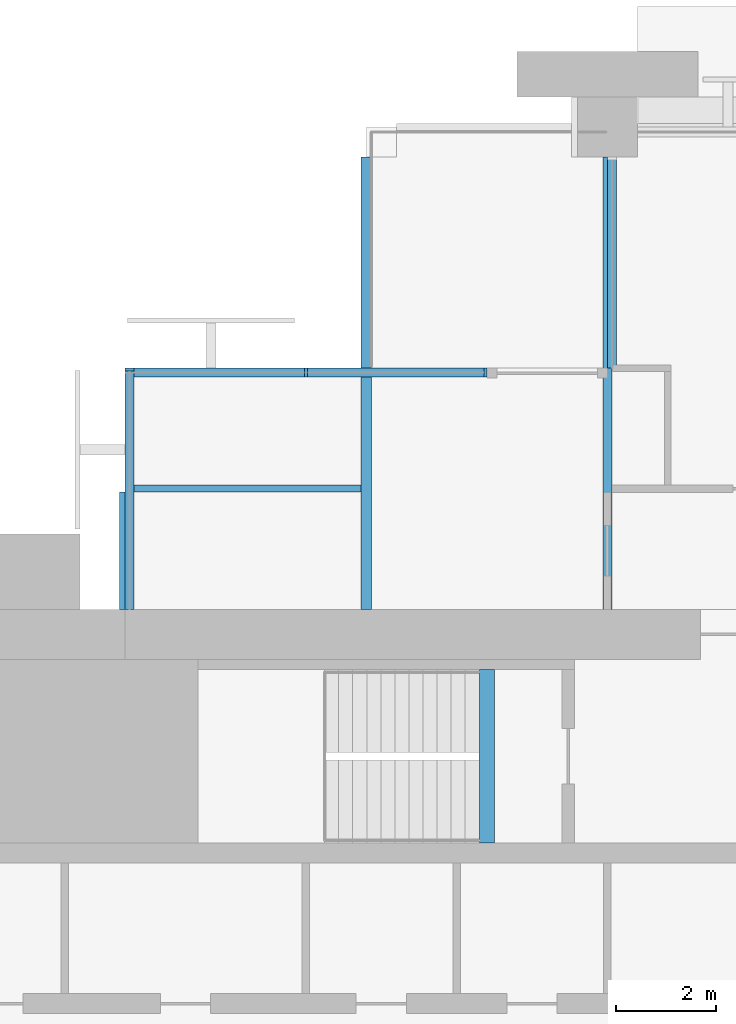
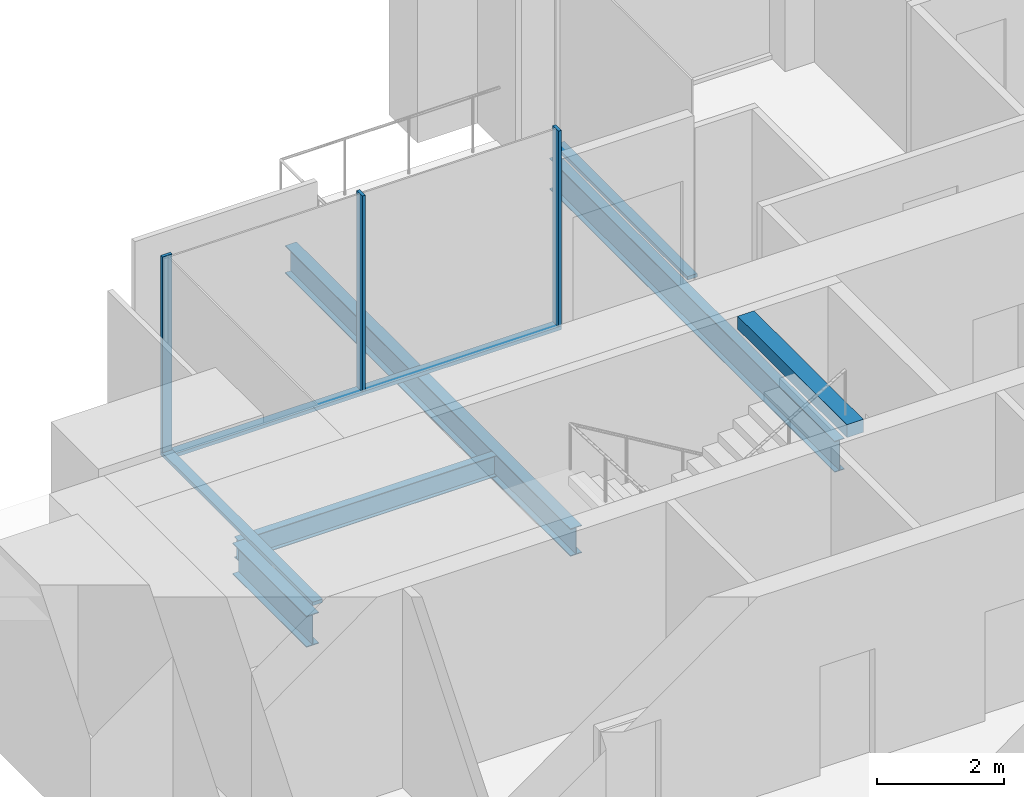
# One storey, part 5 of 15: 6 members, 5 beams, 3 elements without a shape of their own.
"""IFC4 building model written with IfcOpenShell, lengths in metres."""

import ifcopenshell
import ifcopenshell.guid

model = None  # the IFC model being written
_history = None  # IfcOwnerHistory: only IFC2X3 demands one
_inside = {}  # id of a spatial element -> (the spatial element, [elements in it])
_under = {}  # id of a project, library or spatial element -> (it, [spatial elements below it])
_declared = {}  # id of a project -> (the project, [libraries it declares])
_typed = {}  # id of a type object -> (the type object, [elements of that type])
_made_of = {}  # id of a material, layer set ... -> (it, [elements and type objects made of it])


def new_model(schema):
    """Start an empty IFC model of exactly this schema.

    Asked for "IFC4X3", IfcOpenShell would pick the latest addendum, in which some entities
    have other attributes; the version numbers below select the first issue.
    IFC2X3 requires an IfcOwnerHistory on every rooted entity: one is made here for all.
    """
    global model, _history
    if schema == "IFC4X3":
        model = ifcopenshell.file(schema_version=(4, 3, 0, 0))
    else:
        model = ifcopenshell.file(schema=schema)
    _inside.clear()
    _under.clear()
    _declared.clear()
    _typed.clear()
    _made_of.clear()
    _history = None
    if model.schema == "IFC2X3":
        org = make("IfcOrganization", Name="unknown")
        user = make(
            "IfcPersonAndOrganization",
            ThePerson=make("IfcPerson", FamilyName="unknown"),
            TheOrganization=org,
        )
        app = make(
            "IfcApplication",
            ApplicationDeveloper=org,
            Version="unknown",
            ApplicationFullName="unknown",
            ApplicationIdentifier="unknown",
        )
        _history = make(
            "IfcOwnerHistory",
            OwningUser=user,
            OwningApplication=app,
            ChangeAction="ADDED",
            CreationDate=0,
        )
    return model


def make(cls, **values):
    """One entity of the class cls with the attributes given. An attribute that is None is left unset."""
    return model.create_entity(
        cls, **{name: value for name, value in values.items() if value is not None}
    )


def rooted(cls, **values):
    """An entity with a GlobalId (a new one), such as an element, a storey or a relation."""
    return make(cls, GlobalId=ifcopenshell.guid.new(), OwnerHistory=_history, **values)


def si_unit(unit_type, name, prefix=None):
    """IfcSIUnit, for example si_unit("LENGTHUNIT", "METRE", prefix="MILLI")."""
    return make("IfcSIUnit", UnitType=unit_type, Prefix=prefix, Name=name)


def assignment(units):
    """IfcUnitAssignment: the units of a project."""
    return None if units is None else make("IfcUnitAssignment", Units=units)


def point(xyz):
    """IfcCartesianPoint."""
    return None if xyz is None else make("IfcCartesianPoint", Coordinates=xyz)


def direction(xyz):
    """IfcDirection."""
    return None if xyz is None else make("IfcDirection", DirectionRatios=xyz)


def frame(location, z_axis=None, x_axis=None):
    """IfcAxis2Placement3D, a coordinate frame: its origin and axes. An axis left out is left unset."""
    return make(
        "IfcAxis2Placement3D",
        Location=point(location),
        Axis=direction(z_axis),
        RefDirection=direction(x_axis),
    )


def frame_2d(location, x_axis=None):
    """IfcAxis2Placement2D, a coordinate frame in the plane: its origin and x axis."""
    return make(
        "IfcAxis2Placement2D", Location=point(location), RefDirection=direction(x_axis)
    )


def origin():
    """The frame at (0, 0, 0) with its axes left unset."""
    return frame((0.0, 0.0, 0.0))


def origin_2d():
    """The frame at (0, 0) in the plane with its x axis left unset."""
    return frame_2d((0.0, 0.0))


def place(relative_to, where):
    """IfcLocalPlacement: puts the frame where relative to a parent placement (None: the world)."""
    return make(
        "IfcLocalPlacement", PlacementRelTo=relative_to, RelativePlacement=where
    )


def context(
    kind, dimensions, precision=None, world=None, true_north=None, identifier=None
):
    """IfcGeometricRepresentationContext, for example the 3D "Model" context."""
    return make(
        "IfcGeometricRepresentationContext",
        ContextIdentifier=identifier,
        ContextType=kind,
        CoordinateSpaceDimension=dimensions,
        Precision=precision,
        WorldCoordinateSystem=world,
        TrueNorth=true_north,
    )


def subcontext(parent, identifier, kind, view, scale=None):
    """IfcGeometricRepresentationSubContext, for example "Body" below "Model"."""
    return make(
        "IfcGeometricRepresentationSubContext",
        ContextIdentifier=identifier,
        ContextType=kind,
        ParentContext=parent,
        TargetScale=scale,
        TargetView=view,
    )


def project(units=None, contexts=None):
    """IfcProject with its units and contexts."""
    return rooted(
        "IfcProject",
        Name="project",
        RepresentationContexts=contexts,
        UnitsInContext=assignment(units),
    )


def spatial(cls, under=None, at=None, **own):
    """A site, building, storey or space (cls), placed at a placement, below another one or the project."""
    s = rooted(cls, ObjectPlacement=at, **own)
    if under is not None:
        _under.setdefault(under.id(), (under, []))[1].append(s)
    return s


def profile(cls, at=None, kind="AREA", **sizes):
    """A parametric profile (cls). Its sizes go by their IFC names, for example OverallWidth=200.0."""
    return make(cls, ProfileType=kind, Position=at, **sizes)


def rectangle(**sizes):
    """IfcRectangleProfileDef."""
    return profile("IfcRectangleProfileDef", **sizes)


def i_section(**sizes):
    """IfcIShapeProfileDef."""
    return profile("IfcIShapeProfileDef", **sizes)


def extrude(swept, where, along, depth):
    """IfcExtrudedAreaSolid: the profile swept, set in the frame where, extruded along a direction by depth."""
    return make(
        "IfcExtrudedAreaSolid",
        SweptArea=swept,
        Position=where,
        ExtrudedDirection=direction(along),
        Depth=depth,
    )


def shape(context_of_items, identifier, shape_type, items):
    """IfcShapeRepresentation: the items that make up one representation, for example the "Body"."""
    return make(
        "IfcShapeRepresentation",
        ContextOfItems=context_of_items,
        RepresentationIdentifier=identifier,
        RepresentationType=shape_type,
        Items=items,
    )


def material(Name=None, Category=None):
    """IfcMaterial."""
    return make("IfcMaterial", Name=Name, Category=Category)


def material_profile(
    of_material, cross_section, Name=None, Category=None, Priority=None
):
    """IfcMaterialProfile: a cross section and its material."""
    return make(
        "IfcMaterialProfile",
        Name=Name,
        Material=of_material,
        Profile=cross_section,
        Priority=Priority,
        Category=Category,
    )


def profile_set(profiles, Name=None, composite=None):
    """IfcMaterialProfileSet."""
    return make(
        "IfcMaterialProfileSet",
        Name=Name,
        MaterialProfiles=profiles,
        CompositeProfile=composite,
    )


def made_of(thing, what):
    """Note that an element or type object is made of a material, layer set ...; save() writes the relation."""
    if what is not None:
        _made_of.setdefault(what.id(), (what, []))[1].append(thing)
    return thing


def type_object(cls, material=None, **own):
    """A type object (cls), such as IfcWallType, which elements share."""
    return made_of(rooted(cls, **own), material)


def element(
    cls,
    number,
    at=None,
    inside=None,
    cuts=None,
    type_object=None,
    material=None,
    context=None,
    identifier="Body",
    shape_type=None,
    held_by="IfcProductDefinitionShape",
    body=None,
    shapes=None,
    **own,
):
    """One element of the class cls, such as IfcWall. Its Tag is "e" and its number.

    at: its placement. inside: the storey or other place that contains it. cuts: it is an
    opening in that element (IfcRelVoidsElement). A single representation is given by context,
    identifier, shape_type and body (its items); several are given by shapes. held_by: the class
    of the entity that holds the representations. save() writes the other relations.
    """
    e = rooted(cls, Tag="e%d" % number, ObjectPlacement=at, **own)
    if body is not None:
        shapes = [shape(context, identifier, shape_type, body)]
    if shapes is not None:
        e.Representation = make(held_by, Representations=shapes)
    if inside is not None:
        _inside.setdefault(inside.id(), (inside, []))[1].append(e)
    if cuts is not None:
        rooted(
            "IfcRelVoidsElement", RelatingBuildingElement=cuts, RelatedOpeningElement=e
        )
    if type_object is not None:
        _typed.setdefault(type_object.id(), (type_object, []))[1].append(e)
    return made_of(e, material)


def aggregate(whole, parts):
    """IfcRelAggregates: a whole, such as a stair, and the parts it consists of."""
    return rooted("IfcRelAggregates", RelatingObject=whole, RelatedObjects=parts)


def save(model, path):
    """Write the relations noted so far, then the file.

    IfcRelAggregates (storeys below a building ...), IfcRelContainedInSpatialStructure (elements
    in a storey), IfcRelDefinesByType, IfcRelAssociatesMaterial and IfcRelDeclares: one each for
    every whole, place, type object, material and project.
    """
    for whole, parts in _under.values():
        aggregate(whole, parts)
    for where, things in _inside.values():
        rooted(
            "IfcRelContainedInSpatialStructure",
            RelatedElements=things,
            RelatingStructure=where,
        )
    for kind, things in _typed.values():
        rooted("IfcRelDefinesByType", RelatedObjects=things, RelatingType=kind)
    for what, things in _made_of.values():
        rooted("IfcRelAssociatesMaterial", RelatedObjects=things, RelatingMaterial=what)
    for by, libraries in _declared.values():
        rooted("IfcRelDeclares", RelatingContext=by, RelatedDefinitions=libraries)
    model.write(path)


model = new_model("IFC4")

# Units and contexts
model_context = context("Model", 3, precision=1e-05, world=origin(), true_north=direction((0.0, 1.0)))
body_context = subcontext(model_context, "Body", "Model", "MODEL_VIEW")
ifc_project = project(units=[si_unit("LENGTHUNIT", "METRE"), si_unit("AREAUNIT", "SQUARE_METRE"), si_unit("VOLUMEUNIT", "CUBIC_METRE"), si_unit("PLANEANGLEUNIT", "RADIAN"), si_unit("MASSUNIT", "GRAM", prefix="KILO")], contexts=[model_context])

# Site, building, storey
site_placement = place(None, origin())
site = spatial("IfcSite", under=ifc_project, at=site_placement, CompositionType="ELEMENT")
building_placement = place(site_placement, origin())
building = spatial("IfcBuilding", under=site, at=building_placement, Name="Baori Bourse Tower", CompositionType="ELEMENT")
storey_placement = place(building_placement, frame((0.0, 0.0, 116.10009765625)))
storey = spatial("IfcBuildingStorey", under=building, at=storey_placement, Name="L24", CompositionType="ELEMENT", Elevation=116.10009765625)

# Curtain wall, members
ifc_material_1 = material(Name="Pale anodised aluminium", Category="aluminium")
curtain_wall_type = type_object("IfcCurtainWallType", Name="CW2 Curtain wall", PredefinedType="NOTDEFINED", material=ifc_material_1)
curtain_wall_1_placement = place(storey_placement, origin())
curtain_wall_1 = element("IfcCurtainWall", 1, at=curtain_wall_1_placement, inside=storey, type_object=curtain_wall_type, Name="Curtain wall CW2 L24 8", PredefinedType="NOTDEFINED")
ifc_material_2 = material(Name="Pale anodised aluminium", Category="aluminium")
ifc_material_profile_1 = material_profile(ifc_material_2, rectangle(XDim=0.179931640625, YDim=0.054931640625, at=origin_2d()), Name="Mullion 55x180")
ifc_profile_set_1 = profile_set([ifc_material_profile_1], Name="Pale anodised aluminium")
member_type_1 = type_object("IfcMemberType", Name="CW2 Curtain wall mullion", PredefinedType="MULLION", material=ifc_profile_set_1)
member_1_placement = place(storey_placement, frame((11.972412109375, 43.110107421875, 0.06982421875), z_axis=(0.0, 0.0, 1.0), x_axis=(0.0, -1.0, 0.0)))
member_1 = element("IfcMember", 2, at=member_1_placement, type_object=member_type_1, Name="Curtain wall CW2 mullion", PredefinedType="MULLION", context=body_context, shape_type="SweptSolid", body=[
    extrude(rectangle(XDim=0.179931640625, YDim=0.054931640625, at=origin_2d()), origin(), (0.0, 0.0, 1.0), 3.77001953125),
])
member_2_placement = place(storey_placement, frame((8.39990234375, 43.110107421875, 0.06982421875), z_axis=(0.0, 0.0, 1.0), x_axis=(0.0, -1.0, 0.0)))
member_2 = element("IfcMember", 3, at=member_2_placement, type_object=member_type_1, Name="Curtain wall CW2 mullion", PredefinedType="MULLION", context=body_context, shape_type="SweptSolid", body=[
    extrude(rectangle(XDim=0.179931640625, YDim=0.054931640625, at=origin_2d()), origin(), (0.0, 0.0, 1.0), 3.77001953125),
])

# Curtain wall, member
curtain_wall_2_placement = place(storey_placement, origin())
curtain_wall_2 = element("IfcCurtainWall", 4, at=curtain_wall_2_placement, inside=storey, type_object=curtain_wall_type, Name="Curtain wall CW2 L24 9", PredefinedType="NOTDEFINED")
member_3_placement = place(storey_placement, frame((4.889892578125, 43.172607421875, 0.06982421875), z_axis=(0.0, 0.0, 1.0), x_axis=(1.0, 0.0, 0.0)))
member_3 = element("IfcMember", 5, at=member_3_placement, type_object=member_type_1, Name="Curtain wall CW2 mullion", PredefinedType="MULLION", context=body_context, shape_type="SweptSolid", body=[
    extrude(rectangle(XDim=0.179931640625, YDim=0.054931640625, at=origin_2d()), origin(), (0.0, 0.0, 1.0), 3.77001953125),
])

curtain_wall_3_placement = place(storey_placement, origin())
curtain_wall_3 = element("IfcCurtainWall", 6, at=curtain_wall_3_placement, inside=storey, type_object=curtain_wall_type, Name="Curtain wall CW2 L24 7", PredefinedType="NOTDEFINED")
ifc_material_3 = material(Name="Pale anodised aluminium", Category="aluminium")
ifc_material_profile_2 = material_profile(ifc_material_3, rectangle(XDim=0.179931640625, YDim=0.070068359375, at=origin_2d()), Name="Transom 70x180")
ifc_profile_set_2 = profile_set([ifc_material_profile_2], Name="Pale anodised aluminium")
member_type_2 = type_object("IfcMemberType", Name="CW2 Curtain wall transom", PredefinedType="USERDEFINED", material=ifc_profile_set_2)
member_4_placement = place(storey_placement, frame((14.489990234375, 47.39990234375, 0.034912109375), z_axis=(0.0, -1.0, 0.0), x_axis=(1.0, 0.0, 0.0)))
member_4 = element("IfcMember", 7, at=member_4_placement, type_object=member_type_2, Name="Curtain wall CW2 sill rail", ObjectType="TRANSOM", PredefinedType="USERDEFINED", context=body_context, shape_type="SweptSolid", body=[
    extrude(rectangle(XDim=0.179931640625, YDim=0.070068359375, at=origin_2d()), origin(), (0.0, 0.0, 1.0), 4.199951171875),
])
aggregate(curtain_wall_3, [member_4])

# Member
member_5_placement = place(storey_placement, frame((12.0, 43.110107421875, 0.034912109375), z_axis=(-1.0, 0.0, 0.0), x_axis=(0.0, -1.0, 0.0)))
member_5 = element("IfcMember", 8, at=member_5_placement, type_object=member_type_2, Name="Curtain wall CW2 sill rail", ObjectType="TRANSOM", PredefinedType="USERDEFINED", context=body_context, shape_type="SweptSolid", body=[
    extrude(rectangle(XDim=0.179931640625, YDim=0.070068359375, at=origin_2d()), origin(), (0.0, 0.0, 1.0), 7.199951171875),
])

aggregate(curtain_wall_1, [member_5, member_1, member_2])

member_6_placement = place(storey_placement, frame((4.889892578125, 43.199951171875, 0.034912109375), z_axis=(0.0, -1.0, 0.0), x_axis=(1.0, 0.0, 0.0)))
member_6 = element("IfcMember", 9, at=member_6_placement, type_object=member_type_2, Name="Curtain wall CW2 sill rail", ObjectType="TRANSOM", PredefinedType="USERDEFINED", context=body_context, shape_type="SweptSolid", body=[
    extrude(rectangle(XDim=0.179931640625, YDim=0.070068359375, at=origin_2d()), origin(), (0.0, 0.0, 1.0), 4.800048828125),
])

aggregate(curtain_wall_2, [member_6, member_3])

# Beams
ifc_material_4 = material(Name="Steel A992 Gr 50", Category="steel")
ifc_material_profile_3 = material_profile(ifc_material_4, i_section(OverallWidth=0.227783203125, OverallDepth=0.60205078125, WebThickness=0.010498046875, FlangeThickness=0.014892578125, at=origin_2d()), Name="W24x68")
ifc_profile_set_3 = profile_set([ifc_material_profile_3], Name="Steel A992 Gr 50")
beam_type_1 = type_object("IfcBeamType", Name="Core bracket W24x68", PredefinedType="BEAM", material=ifc_profile_set_3)
beam_1_placement = place(storey_placement, frame((4.800048828125, 38.39990234375, -0.461181640625), z_axis=(0.0, 1.0, 0.0), x_axis=(-1.0, 0.0, 0.0)))
element("IfcBeam", 10, at=beam_1_placement, inside=storey, type_object=beam_type_1, Name="Core bracket L24", PredefinedType="BEAM", context=body_context, shape_type="SweptSolid", body=[
    extrude(i_section(OverallWidth=0.227783203125, OverallDepth=0.60205078125, WebThickness=0.010498046875, FlangeThickness=0.014892578125, at=origin_2d()), origin(), (0.0, 0.0, 1.0), 2.329833984375),
])
ifc_material_5 = material(Name="Steel A992 Gr 50", Category="steel")
ifc_material_profile_4 = material_profile(ifc_material_5, i_section(OverallWidth=0.209228515625, OverallDepth=0.533447265625, WebThickness=0.01025390625, FlangeThickness=0.015625, at=origin_2d()), Name="W21x62")
ifc_profile_set_4 = profile_set([ifc_material_profile_4], Name="Steel A992 Gr 50")
beam_type_2 = type_object("IfcBeamType", Name="Floor beam W21x62", PredefinedType="BEAM", material=ifc_profile_set_4)
beam_2_placement = place(storey_placement, frame((9.60009765625, 38.39990234375, -0.4267578125), z_axis=(0.0, 1.0, 0.0), x_axis=(-1.0, 0.0, 0.0)))
element("IfcBeam", 11, at=beam_2_placement, inside=storey, type_object=beam_type_2, Name="Floor beam L24", PredefinedType="BEAM", context=body_context, shape_type="SweptSolid", body=[
    extrude(i_section(OverallWidth=0.209228515625, OverallDepth=0.533447265625, WebThickness=0.01025390625, FlangeThickness=0.015625, at=origin_2d()), origin(), (0.0, 0.0, 1.0), 9.0),
])
ifc_material_6 = material(Name="Steel A992 Gr 50", Category="steel")
ifc_material_profile_5 = material_profile(ifc_material_6, i_section(OverallWidth=0.177978515625, OverallDepth=0.599365234375, WebThickness=0.010009765625, FlangeThickness=0.012939453125, at=origin_2d()), Name="W24x55")
ifc_profile_set_5 = profile_set([ifc_material_profile_5], Name="Steel A992 Gr 50")
beam_type_3 = type_object("IfcBeamType", Name="Floor beam W24x55", PredefinedType="BEAM", material=ifc_profile_set_5)
beam_3_placement = place(storey_placement, frame((14.39990234375, 38.39990234375, -0.459716796875), z_axis=(0.0, 1.0, 0.0), x_axis=(-1.0, 0.0, 0.0)))
element("IfcBeam", 12, at=beam_3_placement, inside=storey, type_object=beam_type_3, Name="Floor beam L24", PredefinedType="BEAM", context=body_context, shape_type="SweptSolid", body=[
    extrude(i_section(OverallWidth=0.177978515625, OverallDepth=0.599365234375, WebThickness=0.010009765625, FlangeThickness=0.012939453125, at=origin_2d()), origin(), (0.0, 0.0, 1.0), 9.0),
])
ifc_material_7 = material(Name="Concrete f'c 50 MPa", Category="concrete")
ifc_material_profile_6 = material_profile(ifc_material_7, rectangle(XDim=0.300048828125, YDim=0.25, at=origin_2d()), Name="RC 300x250")
ifc_profile_set_6 = profile_set([ifc_material_profile_6], Name="Concrete f'c 50 MPa")
beam_type_4 = type_object("IfcBeamType", Name="Stair nib beam RC 300x250", PredefinedType="BEAM", material=ifc_profile_set_6)
beam_4_placement = place(storey_placement, frame((12.0, 33.75, 3.71484375), z_axis=(0.0, 1.0, 0.0), x_axis=(-1.0, 0.0, 0.0)))
element("IfcBeam", 13, at=beam_4_placement, inside=storey, type_object=beam_type_4, Name="Stair WB nib beam L25", PredefinedType="BEAM", context=body_context, shape_type="SweptSolid", body=[
    extrude(rectangle(XDim=0.300048828125, YDim=0.25, at=origin_2d()), origin(), (0.0, 0.0, 1.0), 3.449951171875),
])
ifc_material_8 = material(Name="Steel A992 Gr 50", Category="steel")
ifc_material_profile_7 = material_profile(ifc_material_8, i_section(OverallWidth=0.140380859375, OverallDepth=0.40380859375, WebThickness=0.007080078125, FlangeThickness=0.01123046875, at=origin_2d()), Name="W16x31")
ifc_profile_set_7 = profile_set([ifc_material_profile_7], Name="Steel A992 Gr 50")
beam_type_5 = type_object("IfcBeamType", Name="Trimmer beam W16x31", PredefinedType="BEAM", material=ifc_profile_set_7)
beam_5_placement = place(storey_placement, frame((4.800048828125, 40.800048828125, -0.362060546875), z_axis=(1.0, 0.0, 0.0), x_axis=(0.0, 1.0, 0.0)))
element("IfcBeam", 14, at=beam_5_placement, inside=storey, type_object=beam_type_5, Name="Trimmer beam L24", PredefinedType="BEAM", context=body_context, shape_type="SweptSolid", body=[
    extrude(i_section(OverallWidth=0.140380859375, OverallDepth=0.40380859375, WebThickness=0.007080078125, FlangeThickness=0.01123046875, at=origin_2d()), origin(), (0.0, 0.0, 1.0), 4.6953125),
])

save(model, "model.ifc")
